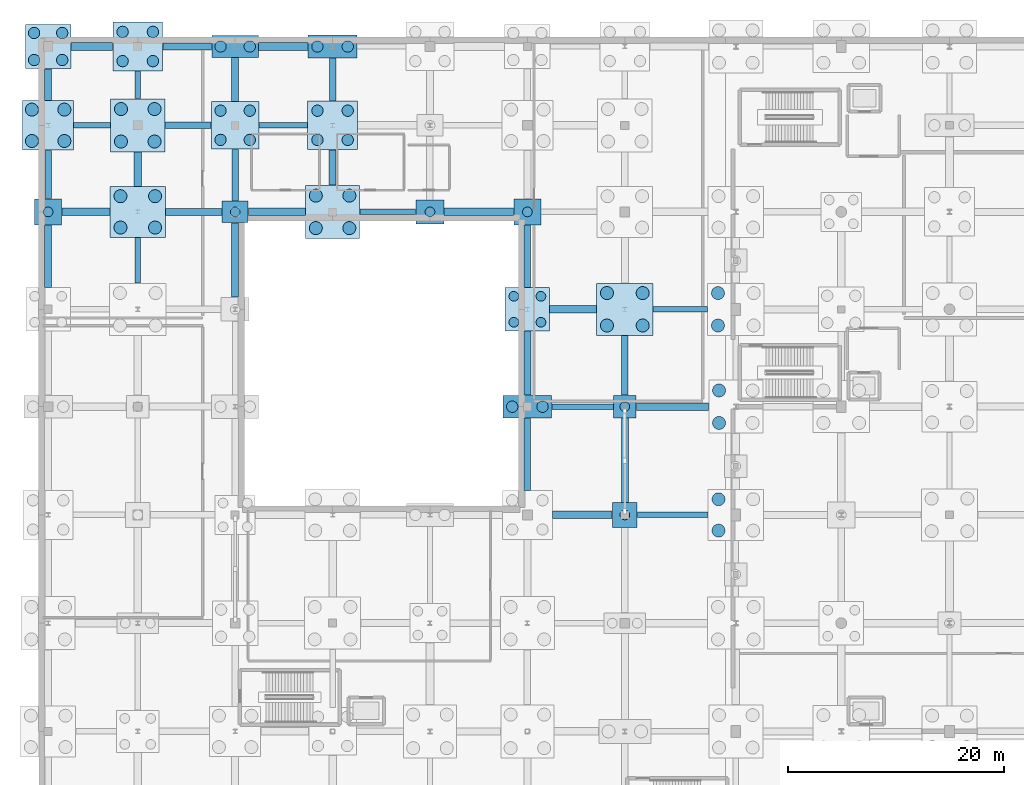
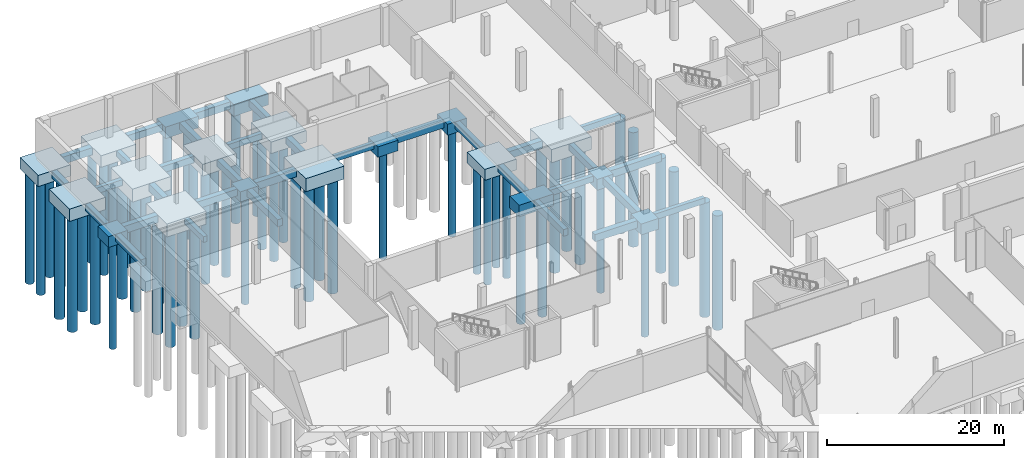
# One storey, part 7 of 60: 58 piles, 52 footings.
"""IFC4 building model written with IfcOpenShell, lengths in metres."""

from ifc_helpers import new_model, si_unit, direction, frame, origin, origin_2d, place, context, subcontext, project, spatial, rectangle, circle, extrude, material, material_profile, profile_set, type_object, element, save


model = new_model("IFC4")

# Units and contexts
model_context = context("Model", 3, precision=1e-05, world=origin(), true_north=direction((0.0, 1.0)))
body_context = subcontext(model_context, "Body", "Model", "MODEL_VIEW")
ifc_project = project(units=[si_unit("LENGTHUNIT", "METRE"), si_unit("AREAUNIT", "SQUARE_METRE"), si_unit("VOLUMEUNIT", "CUBIC_METRE"), si_unit("PLANEANGLEUNIT", "RADIAN"), si_unit("MASSUNIT", "GRAM", prefix="KILO")], contexts=[model_context])

# Site, building, storey
site_placement = place(None, origin())
site = spatial("IfcSite", under=ifc_project, at=site_placement, CompositionType="ELEMENT")
building_placement = place(site_placement, origin())
building = spatial("IfcBuilding", under=site, at=building_placement, Name="Trimount Lyric Opera House", CompositionType="ELEMENT")
storey_placement = place(building_placement, frame((0.0, 0.0, -5.39990234375)))
storey = spatial("IfcBuildingStorey", under=building, at=storey_placement, Name="B1", CompositionType="ELEMENT", Elevation=-5.39990234375)

# Footings
ifc_material_1 = material(Name="Concrete C40/50", Category="concrete")
footing_type_1 = type_object("IfcFootingType", Name="FB-01", PredefinedType="FOOTING_BEAM", material=ifc_material_1)
footing_1_placement = place(storey_placement, frame((4.2099609375, 102.0, -1.60009765625), z_axis=(0.0, 0.0, 1.0), x_axis=(1.0, 0.0, 0.0)))
element("IfcFooting", 1, at=footing_1_placement, inside=storey, type_object=footing_type_1, Name="Ground tie beam X-0020", PredefinedType="FOOTING_BEAM", context=body_context, shape_type="SweptSolid", body=[
    extrude(rectangle(XDim=4.449951171875, YDim=0.699951171875, at=origin_2d()), origin(), (0.0, 0.0, 1.0), 1.0),
])
footing_2_placement = place(storey_placement, frame((4.760009765625, 117.280029296875, -1.60009765625), z_axis=(0.0, 0.0, 1.0), x_axis=(1.0, 0.0, 0.0)))
element("IfcFooting", 2, at=footing_2_placement, inside=storey, type_object=footing_type_1, Name="Ground tie beam X-0024", PredefinedType="FOOTING_BEAM", context=body_context, shape_type="SweptSolid", body=[
    extrude(rectangle(XDim=3.85009765625, YDim=0.699951171875, at=origin_2d()), origin(), (0.0, 0.0, 1.0), 1.0),
])
footing_3_placement = place(storey_placement, frame((9.0, 105.949951171875, -1.60009765625), z_axis=(0.0, 0.0, 1.0), x_axis=(1.0, 0.0, 0.0)))
element("IfcFooting", 3, at=footing_3_placement, inside=storey, type_object=footing_type_1, Name="Ground tie beam Y-0044", PredefinedType="FOOTING_BEAM", context=body_context, shape_type="SweptSolid", body=[
    extrude(rectangle(XDim=0.699951171875, YDim=3.169921875, at=origin_2d()), origin(), (0.0, 0.0, 1.0), 1.0),
])
footing_4_placement = place(storey_placement, frame((21.85009765625, 102.0, -1.60009765625), z_axis=(0.0, 0.0, 1.0), x_axis=(1.0, 0.0, 0.0)))
element("IfcFooting", 4, at=footing_4_placement, inside=storey, type_object=footing_type_1, Name="Ground tie beam X-0060", PredefinedType="FOOTING_BEAM", context=body_context, shape_type="SweptSolid", body=[
    extrude(rectangle(XDim=5.27001953125, YDim=0.699951171875, at=origin_2d()), origin(), (0.0, 0.0, 1.0), 1.0),
])
footing_5_placement = place(storey_placement, frame((22.449951171875, 117.280029296875, -1.60009765625), z_axis=(0.0, 0.0, 1.0), x_axis=(1.0, 0.0, 0.0)))
element("IfcFooting", 5, at=footing_5_placement, inside=storey, type_object=footing_type_1, Name="Ground tie beam X-0064", PredefinedType="FOOTING_BEAM", context=body_context, shape_type="SweptSolid", body=[
    extrude(rectangle(XDim=4.570068359375, YDim=0.699951171875, at=origin_2d()), origin(), (0.0, 0.0, 1.0), 1.0),
])
footing_6_placement = place(storey_placement, frame((40.52490234375, 102.0, -1.60009765625), z_axis=(0.0, 0.0, 1.0), x_axis=(1.0, 0.0, 0.0)))
element("IfcFooting", 6, at=footing_6_placement, inside=storey, type_object=footing_type_1, Name="Ground tie beam X-0088", PredefinedType="FOOTING_BEAM", context=body_context, shape_type="SweptSolid", body=[
    extrude(rectangle(XDim=6.419921875, YDim=0.699951171875, at=origin_2d()), origin(), (0.0, 0.0, 1.0), 1.0),
])
footing_7_placement = place(storey_placement, frame((50.074951171875, 74.0, -1.60009765625), z_axis=(0.0, 0.0, 1.0), x_axis=(1.0, 0.0, 0.0)))
element("IfcFooting", 7, at=footing_7_placement, inside=storey, type_object=footing_type_1, Name="Ground tie beam X-0108", PredefinedType="FOOTING_BEAM", context=body_context, shape_type="SweptSolid", body=[
    extrude(rectangle(XDim=5.52001953125, YDim=0.699951171875, at=origin_2d()), origin(), (0.0, 0.0, 1.0), 1.0),
])
footing_8_placement = place(storey_placement, frame((49.22509765625, 93.0, -1.60009765625), z_axis=(0.0, 0.0, 1.0), x_axis=(1.0, 0.0, 0.0)))
element("IfcFooting", 8, at=footing_8_placement, inside=storey, type_object=footing_type_1, Name="Ground tie beam X-0112", PredefinedType="FOOTING_BEAM", context=body_context, shape_type="SweptSolid", body=[
    extrude(rectangle(XDim=4.320068359375, YDim=0.699951171875, at=origin_2d()), origin(), (0.0, 0.0, 1.0), 1.0),
])
footing_9_placement = place(storey_placement, frame((58.405029296875, 84.0, -1.60009765625), z_axis=(0.0, 0.0, 1.0), x_axis=(1.0, 0.0, 0.0)))
element("IfcFooting", 9, at=footing_9_placement, inside=storey, type_object=footing_type_1, Name="Ground tie beam X-0136", PredefinedType="FOOTING_BEAM", context=body_context, shape_type="SweptSolid", body=[
    extrude(rectangle(XDim=6.679931640625, YDim=0.699951171875, at=origin_2d()), origin(), (0.0, 0.0, 1.0), 1.0),
])
ifc_material_2 = material(Name="Concrete C40/50", Category="concrete")
footing_type_2 = type_object("IfcFootingType", Name="FB-02", PredefinedType="FOOTING_BEAM", material=ifc_material_2)
footing_10_placement = place(storey_placement, frame((0.719970703125, 105.449951171875, -1.5), z_axis=(0.0, 0.0, 1.0), x_axis=(1.0, 0.0, 0.0)))
element("IfcFooting", 10, at=footing_10_placement, inside=storey, type_object=footing_type_2, Name="Ground tie beam Y-0021", PredefinedType="FOOTING_BEAM", context=body_context, shape_type="SweptSolid", body=[
    extrude(rectangle(XDim=0.60009765625, YDim=4.469970703125, at=origin_2d()), origin(), (0.0, 0.0, 1.0), 0.89990234375),
])
footing_11_placement = place(storey_placement, frame((13.64990234375, 110.0, -1.5), z_axis=(0.0, 0.0, 1.0), x_axis=(1.0, 0.0, 0.0)))
element("IfcFooting", 11, at=footing_11_placement, inside=storey, type_object=footing_type_2, Name="Ground tie beam X-0045", PredefinedType="FOOTING_BEAM", context=body_context, shape_type="SweptSolid", body=[
    extrude(rectangle(XDim=4.27001953125, YDim=0.60009765625, at=origin_2d()), origin(), (0.0, 0.0, 1.0), 0.89990234375),
])
footing_12_placement = place(storey_placement, frame((18.0, 105.39990234375, -1.5), z_axis=(0.0, 0.0, 1.0), x_axis=(1.0, 0.0, 0.0)))
element("IfcFooting", 12, at=footing_12_placement, inside=storey, type_object=footing_type_2, Name="Ground tie beam Y-0061", PredefinedType="FOOTING_BEAM", context=body_context, shape_type="SweptSolid", body=[
    extrude(rectangle(XDim=0.60009765625, YDim=4.77001953125, at=origin_2d()), origin(), (0.0, 0.0, 1.0), 0.89990234375),
])
footing_13_placement = place(storey_placement, frame((27.0, 114.239990234375, -1.5), z_axis=(0.0, 0.0, 1.0), x_axis=(1.0, 0.0, 0.0)))
element("IfcFooting", 13, at=footing_13_placement, inside=storey, type_object=footing_type_2, Name="Ground tie beam Y-0077", PredefinedType="FOOTING_BEAM", context=body_context, shape_type="SweptSolid", body=[
    extrude(rectangle(XDim=0.60009765625, YDim=3.949951171875, at=origin_2d()), origin(), (0.0, 0.0, 1.0), 0.89990234375),
])
footing_14_placement = place(storey_placement, frame((45.0, 79.60009765625, -1.5), z_axis=(0.0, 0.0, 1.0), x_axis=(1.0, 0.0, 0.0)))
element("IfcFooting", 14, at=footing_14_placement, inside=storey, type_object=footing_type_2, Name="Ground tie beam Y-0109", PredefinedType="FOOTING_BEAM", context=body_context, shape_type="SweptSolid", body=[
    extrude(rectangle(XDim=0.60009765625, YDim=6.669921875, at=origin_2d()), origin(), (0.0, 0.0, 1.0), 0.89990234375),
])
footing_15_placement = place(storey_placement, frame((45.0, 97.89990234375, -1.5), z_axis=(0.0, 0.0, 1.0), x_axis=(1.0, 0.0, 0.0)))
element("IfcFooting", 15, at=footing_15_placement, inside=storey, type_object=footing_type_2, Name="Ground tie beam Y-0113", PredefinedType="FOOTING_BEAM", context=body_context, shape_type="SweptSolid", body=[
    extrude(rectangle(XDim=0.60009765625, YDim=5.77001953125, at=origin_2d()), origin(), (0.0, 0.0, 1.0), 0.89990234375),
])
footing_16_placement = place(storey_placement, frame((54.0, 87.824951171875, -1.5), z_axis=(0.0, 0.0, 1.0), x_axis=(1.0, 0.0, 0.0)))
element("IfcFooting", 16, at=footing_16_placement, inside=storey, type_object=footing_type_2, Name="Ground tie beam Y-0137", PredefinedType="FOOTING_BEAM", context=body_context, shape_type="SweptSolid", body=[
    extrude(rectangle(XDim=0.60009765625, YDim=5.52001953125, at=origin_2d()), origin(), (0.0, 0.0, 1.0), 0.89990234375),
])
ifc_material_3 = material(Name="Concrete C40/50", Category="concrete")
footing_type_3 = type_object("IfcFootingType", Name="FB-03", PredefinedType="FOOTING_BEAM", material=ifc_material_3)
footing_17_placement = place(storey_placement, frame((4.784912109375, 110.0, -1.39990234375), z_axis=(0.0, 0.0, 1.0), x_axis=(1.0, 0.0, 0.0)))
element("IfcFooting", 17, at=footing_17_placement, inside=storey, type_object=footing_type_3, Name="Ground tie beam X-0022", PredefinedType="FOOTING_BEAM", context=body_context, shape_type="SweptSolid", body=[
    extrude(rectangle(XDim=3.39990234375, YDim=0.5, at=origin_2d()), origin(), (0.0, 0.0, 1.0), 0.800048828125),
])
footing_18_placement = place(storey_placement, frame((9.0, 97.52490234375, -1.39990234375), z_axis=(0.0, 0.0, 1.0), x_axis=(1.0, 0.0, 0.0)))
element("IfcFooting", 18, at=footing_18_placement, inside=storey, type_object=footing_type_3, Name="Ground tie beam Y-0042", PredefinedType="FOOTING_BEAM", context=body_context, shape_type="SweptSolid", body=[
    extrude(rectangle(XDim=0.5, YDim=4.219970703125, at=origin_2d()), origin(), (0.0, 0.0, 1.0), 0.800048828125),
])
footing_19_placement = place(storey_placement, frame((9.0, 113.739990234375, -1.39990234375), z_axis=(0.0, 0.0, 1.0), x_axis=(1.0, 0.0, 0.0)))
element("IfcFooting", 19, at=footing_19_placement, inside=storey, type_object=footing_type_3, Name="Ground tie beam Y-0046", PredefinedType="FOOTING_BEAM", context=body_context, shape_type="SweptSolid", body=[
    extrude(rectangle(XDim=0.5, YDim=2.550048828125, at=origin_2d()), origin(), (0.0, 0.0, 1.0), 0.800048828125),
])
footing_20_placement = place(storey_placement, frame((22.449951171875, 110.0, -1.39990234375), z_axis=(0.0, 0.0, 1.0), x_axis=(1.0, 0.0, 0.0)))
element("IfcFooting", 20, at=footing_20_placement, inside=storey, type_object=footing_type_3, Name="Ground tie beam X-0062", PredefinedType="FOOTING_BEAM", context=body_context, shape_type="SweptSolid", body=[
    extrude(rectangle(XDim=4.469970703125, YDim=0.5, at=origin_2d()), origin(), (0.0, 0.0, 1.0), 0.800048828125),
])
footing_21_placement = place(storey_placement, frame((32.10009765625, 102.0, -1.39990234375), z_axis=(0.0, 0.0, 1.0), x_axis=(1.0, 0.0, 0.0)))
element("IfcFooting", 21, at=footing_21_placement, inside=storey, type_object=footing_type_3, Name="Ground tie beam X-0074", PredefinedType="FOOTING_BEAM", context=body_context, shape_type="SweptSolid", body=[
    extrude(rectangle(XDim=5.169921875, YDim=0.5, at=origin_2d()), origin(), (0.0, 0.0, 1.0), 0.800048828125),
])
footing_22_placement = place(storey_placement, frame((50.10009765625, 84.0, -1.39990234375), z_axis=(0.0, 0.0, 1.0), x_axis=(1.0, 0.0, 0.0)))
element("IfcFooting", 22, at=footing_22_placement, inside=storey, type_object=footing_type_3, Name="Ground tie beam X-0110", PredefinedType="FOOTING_BEAM", context=body_context, shape_type="SweptSolid", body=[
    extrude(rectangle(XDim=5.669921875, YDim=0.5, at=origin_2d()), origin(), (0.0, 0.0, 1.0), 0.800048828125),
])
footing_23_placement = place(storey_placement, frame((58.429931640625, 74.0, -1.39990234375), z_axis=(0.0, 0.0, 1.0), x_axis=(1.0, 0.0, 0.0)))
element("IfcFooting", 23, at=footing_23_placement, inside=storey, type_object=footing_type_3, Name="Ground tie beam X-0134", PredefinedType="FOOTING_BEAM", context=body_context, shape_type="SweptSolid", body=[
    extrude(rectangle(XDim=6.530029296875, YDim=0.5, at=origin_2d()), origin(), (0.0, 0.0, 1.0), 0.800048828125),
])
footing_24_placement = place(storey_placement, frame((59.1298828125, 93.0, -1.39990234375), z_axis=(0.0, 0.0, 1.0), x_axis=(1.0, 0.0, 0.0)))
element("IfcFooting", 24, at=footing_24_placement, inside=storey, type_object=footing_type_3, Name="Ground tie beam X-0138", PredefinedType="FOOTING_BEAM", context=body_context, shape_type="SweptSolid", body=[
    extrude(rectangle(XDim=5.030029296875, YDim=0.5, at=origin_2d()), origin(), (0.0, 0.0, 1.0), 0.800048828125),
])
ifc_material_4 = material(Name="Concrete C40/50", Category="concrete")
footing_type_4 = type_object("IfcFootingType", Name="FB-04", PredefinedType="FOOTING_BEAM", material=ifc_material_4)
footing_25_placement = place(storey_placement, frame((0.719970703125, 97.89990234375, -1.55029296875), z_axis=(0.0, 0.0, 1.0), x_axis=(1.0, 0.0, 0.0)))
element("IfcFooting", 25, at=footing_25_placement, inside=storey, type_object=footing_type_4, Name="Ground tie beam Y-0019", PredefinedType="FOOTING_BEAM", context=body_context, shape_type="SweptSolid", body=[
    extrude(rectangle(XDim=0.64990234375, YDim=5.77001953125, at=origin_2d()), origin(), (0.0, 0.0, 1.0), 0.949951171875),
])
footing_26_placement = place(storey_placement, frame((0.719970703125, 113.764892578125, -1.55029296875), z_axis=(0.0, 0.0, 1.0), x_axis=(1.0, 0.0, 0.0)))
element("IfcFooting", 26, at=footing_26_placement, inside=storey, type_object=footing_type_4, Name="Ground tie beam Y-0023", PredefinedType="FOOTING_BEAM", context=body_context, shape_type="SweptSolid", body=[
    extrude(rectangle(XDim=0.64990234375, YDim=2.89990234375, at=origin_2d()), origin(), (0.0, 0.0, 1.0), 0.949951171875),
])
footing_27_placement = place(storey_placement, frame((14.175048828125, 102.0, -1.55029296875), z_axis=(0.0, 0.0, 1.0), x_axis=(1.0, 0.0, 0.0)))
element("IfcFooting", 27, at=footing_27_placement, inside=storey, type_object=footing_type_4, Name="Ground tie beam X-0043", PredefinedType="FOOTING_BEAM", context=body_context, shape_type="SweptSolid", body=[
    extrude(rectangle(XDim=5.219970703125, YDim=0.64990234375, at=origin_2d()), origin(), (0.0, 0.0, 1.0), 0.949951171875),
])
footing_28_placement = place(storey_placement, frame((13.574951171875, 117.280029296875, -1.55029296875), z_axis=(0.0, 0.0, 1.0), x_axis=(1.0, 0.0, 0.0)))
element("IfcFooting", 28, at=footing_28_placement, inside=storey, type_object=footing_type_4, Name="Ground tie beam X-0047", PredefinedType="FOOTING_BEAM", context=body_context, shape_type="SweptSolid", body=[
    extrude(rectangle(XDim=4.52001953125, YDim=0.64990234375, at=origin_2d()), origin(), (0.0, 0.0, 1.0), 0.949951171875),
])
footing_29_placement = place(storey_placement, frame((18.0, 97.550048828125, -1.55029296875), z_axis=(0.0, 0.0, 1.0), x_axis=(1.0, 0.0, 0.0)))
element("IfcFooting", 29, at=footing_29_placement, inside=storey, type_object=footing_type_4, Name="Ground tie beam Y-0059", PredefinedType="FOOTING_BEAM", context=body_context, shape_type="SweptSolid", body=[
    extrude(rectangle(XDim=0.64990234375, YDim=6.8701171875, at=origin_2d()), origin(), (0.0, 0.0, 1.0), 0.949951171875),
])
footing_30_placement = place(storey_placement, frame((18.0, 114.239990234375, -1.55029296875), z_axis=(0.0, 0.0, 1.0), x_axis=(1.0, 0.0, 0.0)))
element("IfcFooting", 30, at=footing_30_placement, inside=storey, type_object=footing_type_4, Name="Ground tie beam Y-0063", PredefinedType="FOOTING_BEAM", context=body_context, shape_type="SweptSolid", body=[
    extrude(rectangle(XDim=0.64990234375, YDim=4.050048828125, at=origin_2d()), origin(), (0.0, 0.0, 1.0), 0.949951171875),
])
footing_31_placement = place(storey_placement, frame((27.0, 106.10009765625, -1.55029296875), z_axis=(0.0, 0.0, 1.0), x_axis=(1.0, 0.0, 0.0)))
element("IfcFooting", 31, at=footing_31_placement, inside=storey, type_object=footing_type_4, Name="Ground tie beam Y-0075", PredefinedType="FOOTING_BEAM", context=body_context, shape_type="SweptSolid", body=[
    extrude(rectangle(XDim=0.64990234375, YDim=3.27001953125, at=origin_2d()), origin(), (0.0, 0.0, 1.0), 0.949951171875),
])
footing_32_placement = place(storey_placement, frame((45.0, 88.02490234375, -1.55029296875), z_axis=(0.0, 0.0, 1.0), x_axis=(1.0, 0.0, 0.0)))
element("IfcFooting", 32, at=footing_32_placement, inside=storey, type_object=footing_type_4, Name="Ground tie beam Y-0111", PredefinedType="FOOTING_BEAM", context=body_context, shape_type="SweptSolid", body=[
    extrude(rectangle(XDim=0.64990234375, YDim=5.919921875, at=origin_2d()), origin(), (0.0, 0.0, 1.0), 0.949951171875),
])
footing_33_placement = place(storey_placement, frame((54.0, 79.050048828125, -1.55029296875), z_axis=(0.0, 0.0, 1.0), x_axis=(1.0, 0.0, 0.0)))
element("IfcFooting", 33, at=footing_33_placement, inside=storey, type_object=footing_type_4, Name="Ground tie beam Y-0135", PredefinedType="FOOTING_BEAM", context=body_context, shape_type="SweptSolid", body=[
    extrude(rectangle(XDim=0.64990234375, YDim=7.77001953125, at=origin_2d()), origin(), (0.0, 0.0, 1.0), 0.949951171875),
])
ifc_material_5 = material(Name="Concrete C40/50", Category="concrete")
footing_type_5 = type_object("IfcFootingType", Name="PC-04", PredefinedType="PILE_CAP", material=ifc_material_5)
footing_34_placement = place(storey_placement, frame((18.0, 110.0, -2.2001953125), z_axis=(0.0, 0.0, 1.0), x_axis=(1.0, 0.0, 0.0)))
element("IfcFooting", 34, at=footing_34_placement, inside=storey, type_object=footing_type_5, Name="Pile cap 3/N", PredefinedType="PILE_CAP", context=body_context, shape_type="SweptSolid", body=[
    extrude(rectangle(XDim=4.39990234375, YDim=4.39990234375, at=origin_2d()), origin(), (0.0, 0.0, 1.0), 1.60009765625),
])
ifc_material_6 = material(Name="Concrete C40/50", Category="concrete")
footing_type_6 = type_object("IfcFootingType", Name="PC-05", PredefinedType="PILE_CAP", material=ifc_material_6)
footing_35_placement = place(storey_placement, frame((18.0, 117.280029296875, -2.2001953125), z_axis=(0.0, 0.0, 1.0), x_axis=(1.0, 0.0, 0.0)))
element("IfcFooting", 35, at=footing_35_placement, inside=storey, type_object=footing_type_6, Name="Pile cap 3/P", PredefinedType="PILE_CAP", context=body_context, shape_type="SweptSolid", body=[
    extrude(rectangle(XDim=4.300048828125, YDim=2.0, at=origin_2d()), origin(), (0.0, 0.0, 1.0), 1.60009765625),
])
ifc_material_7 = material(Name="Concrete C40/50", Category="concrete")
footing_type_7 = type_object("IfcFootingType", Name="PC-08", PredefinedType="PILE_CAP", material=ifc_material_7)
footing_36_placement = place(storey_placement, frame((54.0, 74.0, -2.10009765625), z_axis=(0.0, 0.0, 1.0), x_axis=(1.0, 0.0, 0.0)))
element("IfcFooting", 36, at=footing_36_placement, inside=storey, type_object=footing_type_7, Name="Pile cap 7/J", PredefinedType="PILE_CAP", context=body_context, shape_type="SweptSolid", body=[
    extrude(rectangle(XDim=2.300048828125, YDim=2.300048828125, at=origin_2d()), origin(), (0.0, 0.0, 1.0), 1.5),
])
ifc_material_8 = material(Name="Concrete C40/50", Category="concrete")
footing_type_8 = type_object("IfcFootingType", Name="PC-09", PredefinedType="PILE_CAP", material=ifc_material_8)
footing_37_placement = place(storey_placement, frame((54.0, 84.0, -2.10009765625), z_axis=(0.0, 0.0, 1.0), x_axis=(1.0, 0.0, 0.0)))
element("IfcFooting", 37, at=footing_37_placement, inside=storey, type_object=footing_type_8, Name="Pile cap 7/K", PredefinedType="PILE_CAP", context=body_context, shape_type="SweptSolid", body=[
    extrude(rectangle(XDim=2.10009765625, YDim=2.10009765625, at=origin_2d()), origin(), (0.0, 0.0, 1.0), 1.5),
])
ifc_material_9 = material(Name="Concrete C40/50", Category="concrete")
footing_type_9 = type_object("IfcFootingType", Name="PC-10", PredefinedType="PILE_CAP", material=ifc_material_9)
footing_38_placement = place(storey_placement, frame((54.0, 93.0, -2.39990234375), z_axis=(0.0, 0.0, 1.0), x_axis=(1.0, 0.0, 0.0)))
element("IfcFooting", 38, at=footing_38_placement, inside=storey, type_object=footing_type_9, Name="Pile cap 7/L", PredefinedType="PILE_CAP", context=body_context, shape_type="SweptSolid", body=[
    extrude(rectangle(XDim=5.199951171875, YDim=4.800048828125, at=origin_2d()), origin(), (0.0, 0.0, 1.0), 1.800048828125),
])
ifc_material_10 = material(Name="Concrete C40/50", Category="concrete")
footing_type_10 = type_object("IfcFootingType", Name="PC-11", PredefinedType="PILE_CAP", material=ifc_material_10)
footing_39_placement = place(storey_placement, frame((9.0, 102.0, -2.39990234375), z_axis=(0.0, 0.0, 1.0), x_axis=(1.0, 0.0, 0.0)))
element("IfcFooting", 39, at=footing_39_placement, inside=storey, type_object=footing_type_10, Name="Pile cap 2/M", PredefinedType="PILE_CAP", context=body_context, shape_type="SweptSolid", body=[
    extrude(rectangle(XDim=5.10009765625, YDim=4.699951171875, at=origin_2d()), origin(), (0.0, 0.0, 1.0), 1.800048828125),
])
ifc_material_11 = material(Name="Concrete C40/50", Category="concrete")
footing_type_11 = type_object("IfcFootingType", Name="PC-12", PredefinedType="PILE_CAP", material=ifc_material_11)
for number, where, z_axis, x_axis, name in (
    (40, (9.0, 110.0, -2.39990234375), (0.0, 0.0, 1.0), (1.0, 0.0, 0.0), "Pile cap 2/N"),
    (41, (27.0, 102.0, -2.39990234375), (0.0, 0.0, 1.0), (1.0, 0.0, 0.0), "Pile cap 4/M"),
):
    element("IfcFooting", number, at=place(storey_placement, frame(where, z_axis=z_axis, x_axis=x_axis)), inside=storey, type_object=footing_type_11, Name=name, PredefinedType="PILE_CAP", context=body_context, shape_type="SweptSolid", body=[
        extrude(rectangle(XDim=5.0, YDim=4.89990234375, at=origin_2d()), origin(), (0.0, 0.0, 1.0), 1.800048828125),
    ])
ifc_material_12 = material(Name="Concrete C40/50", Category="concrete")
footing_type_12 = type_object("IfcFootingType", Name="PC-13", PredefinedType="PILE_CAP", material=ifc_material_12)
for number, where, z_axis, x_axis, name in (
    (42, (9.0, 117.280029296875, -2.2001953125), (0.0, 0.0, 1.0), (1.0, 0.0, 0.0), "Pile cap 2/P"),
    (43, (27.0, 110.0, -2.2001953125), (0.0, 0.0, 1.0), (1.0, 0.0, 0.0), "Pile cap 4/N"),
):
    element("IfcFooting", number, at=place(storey_placement, frame(where, z_axis=z_axis, x_axis=x_axis)), inside=storey, type_object=footing_type_12, Name=name, PredefinedType="PILE_CAP", context=body_context, shape_type="SweptSolid", body=[
        extrude(rectangle(XDim=4.60009765625, YDim=4.5, at=origin_2d()), origin(), (0.0, 0.0, 1.0), 1.60009765625),
    ])
ifc_material_13 = material(Name="Concrete C40/50", Category="concrete")
footing_type_13 = type_object("IfcFootingType", Name="PC-14", PredefinedType="PILE_CAP", material=ifc_material_13)
for number, where, z_axis, x_axis, name in (
    (44, (27.0, 117.280029296875, -2.2001953125), (0.0, 0.0, 1.0), (1.0, 0.0, 0.0), "Pile cap 4/P"),
    (45, (45.0, 84.0, -2.2001953125), (0.0, 0.0, 1.0), (1.0, 0.0, 0.0), "Pile cap 6/K"),
):
    element("IfcFooting", number, at=place(storey_placement, frame(where, z_axis=z_axis, x_axis=x_axis)), inside=storey, type_object=footing_type_13, Name=name, PredefinedType="PILE_CAP", context=body_context, shape_type="SweptSolid", body=[
        extrude(rectangle(XDim=4.5, YDim=2.10009765625, at=origin_2d()), origin(), (0.0, 0.0, 1.0), 1.60009765625),
    ])
ifc_material_14 = material(Name="Concrete C40/50", Category="concrete")
footing_type_14 = type_object("IfcFootingType", Name="PC-15", PredefinedType="PILE_CAP", material=ifc_material_14)
footing_40_placement = place(storey_placement, frame((45.0, 93.0, -2.10009765625), z_axis=(0.0, 0.0, 1.0), x_axis=(1.0, 0.0, 0.0)))
element("IfcFooting", 46, at=footing_40_placement, inside=storey, type_object=footing_type_14, Name="Pile cap 6/L", PredefinedType="PILE_CAP", context=body_context, shape_type="SweptSolid", body=[
    extrude(rectangle(XDim=4.10009765625, YDim=4.0, at=origin_2d()), origin(), (0.0, 0.0, 1.0), 1.5),
])
ifc_material_15 = material(Name="Concrete C40/50", Category="concrete")
footing_type_15 = type_object("IfcFootingType", Name="PC-16", PredefinedType="PILE_CAP", material=ifc_material_15)
for number, where, z_axis, x_axis, name in (
    (47, (0.719970703125, 102.0, -2.10009765625), (0.0, 0.0, 1.0), (1.0, 0.0, 0.0), "Pile cap 1/M"),
    (48, (45.0, 102.0, -2.10009765625), (0.0, 0.0, 1.0), (1.0, 0.0, 0.0), "Pile cap 6/M"),
):
    element("IfcFooting", number, at=place(storey_placement, frame(where, z_axis=z_axis, x_axis=x_axis)), inside=storey, type_object=footing_type_15, Name=name, PredefinedType="PILE_CAP", context=body_context, shape_type="SweptSolid", body=[
        extrude(rectangle(XDim=2.5, YDim=2.39990234375, at=origin_2d()), origin(), (0.0, 0.0, 1.0), 1.5),
    ])
ifc_material_16 = material(Name="Concrete C40/50", Category="concrete")
footing_type_16 = type_object("IfcFootingType", Name="PC-17", PredefinedType="PILE_CAP", material=ifc_material_16)
footing_41_placement = place(storey_placement, frame((0.719970703125, 110.0, -2.30029296875), z_axis=(0.0, 0.0, 1.0), x_axis=(1.0, 0.0, 0.0)))
element("IfcFooting", 49, at=footing_41_placement, inside=storey, type_object=footing_type_16, Name="Pile cap 1/N", PredefinedType="PILE_CAP", context=body_context, shape_type="SweptSolid", body=[
    extrude(rectangle(XDim=4.699951171875, YDim=4.60009765625, at=origin_2d()), origin(), (0.0, 0.0, 1.0), 1.699951171875),
])
ifc_material_17 = material(Name="Concrete C40/50", Category="concrete")
footing_type_17 = type_object("IfcFootingType", Name="PC-18", PredefinedType="PILE_CAP", material=ifc_material_17)
footing_42_placement = place(storey_placement, frame((0.719970703125, 117.280029296875, -2.14990234375), z_axis=(0.0, 0.0, 1.0), x_axis=(1.0, 0.0, 0.0)))
element("IfcFooting", 50, at=footing_42_placement, inside=storey, type_object=footing_type_17, Name="Pile cap 1/P", PredefinedType="PILE_CAP", context=body_context, shape_type="SweptSolid", body=[
    extrude(rectangle(XDim=4.199951171875, YDim=4.10009765625, at=origin_2d()), origin(), (0.0, 0.0, 1.0), 1.550048828125),
])
ifc_material_18 = material(Name="Concrete C40/50", Category="concrete")
footing_type_18 = type_object("IfcFootingType", Name="PC-21", PredefinedType="PILE_CAP", material=ifc_material_18)
footing_43_placement = place(storey_placement, frame((36.0, 102.0, -2.05029296875), z_axis=(0.0, 0.0, 1.0), x_axis=(1.0, 0.0, 0.0)))
element("IfcFooting", 51, at=footing_43_placement, inside=storey, type_object=footing_type_18, Name="Pile cap 5/M", PredefinedType="PILE_CAP", context=body_context, shape_type="SweptSolid", body=[
    extrude(rectangle(XDim=2.60009765625, YDim=2.199951171875, at=origin_2d()), origin(), (0.0, 0.0, 1.0), 1.449951171875),
])
ifc_material_19 = material(Name="Concrete C40/50", Category="concrete")
footing_type_19 = type_object("IfcFootingType", Name="PC-22", PredefinedType="PILE_CAP", material=ifc_material_19)
footing_44_placement = place(storey_placement, frame((18.0, 102.0, -2.0), z_axis=(0.0, 0.0, 1.0), x_axis=(1.0, 0.0, 0.0)))
element("IfcFooting", 52, at=footing_44_placement, inside=storey, type_object=footing_type_19, Name="Pile cap 3/M", PredefinedType="PILE_CAP", context=body_context, shape_type="SweptSolid", body=[
    extrude(rectangle(XDim=2.39990234375, YDim=2.0, at=origin_2d()), origin(), (0.0, 0.0, 1.0), 1.39990234375),
])

# Piles
ifc_material_20 = material(Name="Concrete C40/50", Category="concrete")
ifc_material_profile_1 = material_profile(ifc_material_20, circle(Radius=0.52490234375, at=origin_2d()), Name="PILE-D1050")
ifc_profile_set_1 = profile_set([ifc_material_profile_1], Name="Concrete C40/50")
pile_type_1 = type_object("IfcPileType", Name="PL-1050", PredefinedType="BORED", material=ifc_profile_set_1)
for number, where, z_axis, x_axis, name in (
    (53, (-0.580078125, 116.030029296875, -2.050048828125), (0.0, 0.0, -1.0), (1.0, 0.0, 0.0), "Bored pile 0038"),
    (54, (2.02001953125, 116.030029296875, -2.050048828125), (0.0, 0.0, -1.0), (1.0, 0.0, 0.0), "Bored pile 0039"),
    (55, (-0.580078125, 118.530029296875, -2.050048828125), (0.0, 0.0, -1.0), (1.0, 0.0, 0.0), "Bored pile 0040"),
    (56, (2.02001953125, 118.530029296875, -2.050048828125), (0.0, 0.0, -1.0), (1.0, 0.0, 0.0), "Bored pile 0041"),
    (57, (7.60009765625, 115.929931640625, -2.10009765625), (0.0, 0.0, -1.0), (1.0, 0.0, 0.0), "Bored pile 0076"),
    (58, (10.39990234375, 115.929931640625, -2.10009765625), (0.0, 0.0, -1.0), (1.0, 0.0, 0.0), "Bored pile 0077"),
    (59, (7.60009765625, 118.6298828125, -2.10009765625), (0.0, 0.0, -1.0), (1.0, 0.0, 0.0), "Bored pile 0078"),
    (60, (10.39990234375, 118.6298828125, -2.10009765625), (0.0, 0.0, -1.0), (1.0, 0.0, 0.0), "Bored pile 0079"),
    (61, (16.64990234375, 108.64990234375, -2.10009765625), (0.0, 0.0, -1.0), (1.0, 0.0, 0.0), "Bored pile 0103"),
    (62, (19.35009765625, 108.64990234375, -2.10009765625), (0.0, 0.0, -1.0), (1.0, 0.0, 0.0), "Bored pile 0104"),
    (63, (16.64990234375, 111.35009765625, -2.10009765625), (0.0, 0.0, -1.0), (1.0, 0.0, 0.0), "Bored pile 0105"),
    (64, (19.35009765625, 111.35009765625, -2.10009765625), (0.0, 0.0, -1.0), (1.0, 0.0, 0.0), "Bored pile 0106"),
    (65, (16.64990234375, 117.280029296875, -2.10009765625), (0.0, 0.0, -1.0), (1.0, 0.0, 0.0), "Bored pile 0107"),
    (66, (19.35009765625, 117.280029296875, -2.10009765625), (0.0, 0.0, -1.0), (1.0, 0.0, 0.0), "Bored pile 0108"),
    (67, (25.60009765625, 108.64990234375, -2.10009765625), (0.0, 0.0, -1.0), (1.0, 0.0, 0.0), "Bored pile 0133"),
    (68, (28.39990234375, 108.64990234375, -2.10009765625), (0.0, 0.0, -1.0), (1.0, 0.0, 0.0), "Bored pile 0134"),
    (69, (25.60009765625, 111.35009765625, -2.10009765625), (0.0, 0.0, -1.0), (1.0, 0.0, 0.0), "Bored pile 0135"),
    (70, (28.39990234375, 111.35009765625, -2.10009765625), (0.0, 0.0, -1.0), (1.0, 0.0, 0.0), "Bored pile 0136"),
    (71, (25.60009765625, 117.280029296875, -2.10009765625), (0.0, 0.0, -1.0), (1.0, 0.0, 0.0), "Bored pile 0137"),
    (72, (28.39990234375, 117.280029296875, -2.10009765625), (0.0, 0.0, -1.0), (1.0, 0.0, 0.0), "Bored pile 0138"),
    (73, (43.60009765625, 84.0, -2.10009765625), (0.0, 0.0, -1.0), (1.0, 0.0, 0.0), "Bored pile 0194"),
    (74, (46.39990234375, 84.0, -2.10009765625), (0.0, 0.0, -1.0), (1.0, 0.0, 0.0), "Bored pile 0195"),
):
    element("IfcPile", number, at=place(storey_placement, frame(where, z_axis=z_axis, x_axis=x_axis)), inside=storey, type_object=pile_type_1, Name=name, PredefinedType="BORED", context=body_context, shape_type="SweptSolid", body=[
        extrude(circle(Radius=0.52490234375, at=origin_2d()), origin(), (0.0, 0.0, 1.0), 15.5),
    ])
ifc_material_21 = material(Name="Concrete C40/50", Category="concrete")
ifc_material_profile_2 = material_profile(ifc_material_21, circle(Radius=0.60009765625, at=origin_2d()), Name="PILE-D1200")
ifc_profile_set_2 = profile_set([ifc_material_profile_2], Name="Concrete C40/50")
pile_type_2 = type_object("IfcPileType", Name="PL-1200", PredefinedType="BORED", material=ifc_profile_set_2)
for number, where, z_axis, x_axis, name in (
    (75, (-0.780029296875, 108.550048828125, -2.2001953125), (0.0, 0.0, -1.0), (1.0, 0.0, 0.0), "Bored pile 0034"),
    (76, (2.219970703125, 108.550048828125, -2.2001953125), (0.0, 0.0, -1.0), (1.0, 0.0, 0.0), "Bored pile 0035"),
    (77, (-0.780029296875, 111.449951171875, -2.2001953125), (0.0, 0.0, -1.0), (1.0, 0.0, 0.0), "Bored pile 0036"),
    (78, (2.219970703125, 111.449951171875, -2.2001953125), (0.0, 0.0, -1.0), (1.0, 0.0, 0.0), "Bored pile 0037"),
    (79, (7.39990234375, 100.550048828125, -2.300048828125), (0.0, 0.0, -1.0), (1.0, 0.0, 0.0), "Bored pile 0068"),
    (80, (10.60009765625, 100.550048828125, -2.300048828125), (0.0, 0.0, -1.0), (1.0, 0.0, 0.0), "Bored pile 0069"),
    (81, (7.39990234375, 103.449951171875, -2.300048828125), (0.0, 0.0, -1.0), (1.0, 0.0, 0.0), "Bored pile 0070"),
    (82, (10.60009765625, 103.449951171875, -2.300048828125), (0.0, 0.0, -1.0), (1.0, 0.0, 0.0), "Bored pile 0071"),
    (83, (7.449951171875, 108.5, -2.300048828125), (0.0, 0.0, -1.0), (1.0, 0.0, 0.0), "Bored pile 0072"),
    (84, (10.550048828125, 108.5, -2.300048828125), (0.0, 0.0, -1.0), (1.0, 0.0, 0.0), "Bored pile 0073"),
    (85, (7.449951171875, 111.5, -2.300048828125), (0.0, 0.0, -1.0), (1.0, 0.0, 0.0), "Bored pile 0074"),
    (86, (10.550048828125, 111.5, -2.300048828125), (0.0, 0.0, -1.0), (1.0, 0.0, 0.0), "Bored pile 0075"),
    (87, (25.449951171875, 100.5, -2.300048828125), (0.0, 0.0, -1.0), (1.0, 0.0, 0.0), "Bored pile 0129"),
    (88, (28.550048828125, 100.5, -2.300048828125), (0.0, 0.0, -1.0), (1.0, 0.0, 0.0), "Bored pile 0130"),
    (89, (25.449951171875, 103.5, -2.300048828125), (0.0, 0.0, -1.0), (1.0, 0.0, 0.0), "Bored pile 0131"),
    (90, (28.550048828125, 103.5, -2.300048828125), (0.0, 0.0, -1.0), (1.0, 0.0, 0.0), "Bored pile 0132"),
    (91, (52.35009765625, 91.5, -2.300048828125), (0.0, 0.0, -1.0), (1.0, 0.0, 0.0), "Bored pile 0234"),
    (92, (55.64990234375, 91.5, -2.300048828125), (0.0, 0.0, -1.0), (1.0, 0.0, 0.0), "Bored pile 0235"),
    (93, (52.35009765625, 94.5, -2.300048828125), (0.0, 0.0, -1.0), (1.0, 0.0, 0.0), "Bored pile 0236"),
    (94, (55.64990234375, 94.5, -2.300048828125), (0.0, 0.0, -1.0), (1.0, 0.0, 0.0), "Bored pile 0237"),
    (95, (62.659912109375, 72.550048828125, -2.300048828125), (0.0, 0.0, -1.0), (1.0, 0.0, 0.0), "Bored pile 0275"),
    (96, (62.659912109375, 75.449951171875, -2.300048828125), (0.0, 0.0, -1.0), (1.0, 0.0, 0.0), "Bored pile 0277"),
    (97, (62.7099609375, 82.5, -2.300048828125), (0.0, 0.0, -1.0), (1.0, 0.0, 0.0), "Bored pile 0279"),
    (98, (62.7099609375, 85.5, -2.300048828125), (0.0, 0.0, -1.0), (1.0, 0.0, 0.0), "Bored pile 0281"),
    (99, (62.610107421875, 91.5, -2.300048828125), (0.0, 0.0, -1.0), (1.0, 0.0, 0.0), "Bored pile 0283"),
    (100, (62.610107421875, 94.5, -2.300048828125), (0.0, 0.0, -1.0), (1.0, 0.0, 0.0), "Bored pile 0285"),
):
    element("IfcPile", number, at=place(storey_placement, frame(where, z_axis=z_axis, x_axis=x_axis)), inside=storey, type_object=pile_type_2, Name=name, PredefinedType="BORED", context=body_context, shape_type="SweptSolid", body=[
        extrude(circle(Radius=0.60009765625, at=origin_2d()), origin(), (0.0, 0.0, 1.0), 15.800048828125),
    ])
ifc_material_22 = material(Name="Concrete C40/50", Category="concrete")
ifc_material_profile_3 = material_profile(ifc_material_22, circle(Radius=0.449951171875, at=origin_2d()), Name="PILE-D900")
ifc_profile_set_3 = profile_set([ifc_material_profile_3], Name="Concrete C40/50")
pile_type_3 = type_object("IfcPileType", Name="PL-900", PredefinedType="BORED", material=ifc_profile_set_3)
for number, where, z_axis, x_axis, name in (
    (101, (0.719970703125, 102.0, -2.0), (0.0, 0.0, -1.0), (1.0, 0.0, 0.0), "Bored pile 0033"),
    (102, (18.0, 102.0, -1.900146484375), (0.0, 0.0, -1.0), (1.0, 0.0, 0.0), "Bored pile 0102"),
    (103, (36.0, 102.0, -1.9501953125), (0.0, 0.0, -1.0), (1.0, 0.0, 0.0), "Bored pile 0158"),
    (104, (43.75, 91.800048828125, -2.0), (0.0, 0.0, -1.0), (1.0, 0.0, 0.0), "Bored pile 0196"),
    (105, (46.25, 91.800048828125, -2.0), (0.0, 0.0, -1.0), (1.0, 0.0, 0.0), "Bored pile 0197"),
    (106, (43.75, 94.199951171875, -2.0), (0.0, 0.0, -1.0), (1.0, 0.0, 0.0), "Bored pile 0198"),
    (107, (46.25, 94.199951171875, -2.0), (0.0, 0.0, -1.0), (1.0, 0.0, 0.0), "Bored pile 0199"),
    (108, (45.0, 102.0, -2.0), (0.0, 0.0, -1.0), (1.0, 0.0, 0.0), "Bored pile 0200"),
    (109, (54.0, 74.0, -2.0), (0.0, 0.0, -1.0), (1.0, 0.0, 0.0), "Bored pile 0232"),
    (110, (54.0, 84.0, -2.0), (0.0, 0.0, -1.0), (1.0, 0.0, 0.0), "Bored pile 0233"),
):
    element("IfcPile", number, at=place(storey_placement, frame(where, z_axis=z_axis, x_axis=x_axis)), inside=storey, type_object=pile_type_3, Name=name, PredefinedType="BORED", context=body_context, shape_type="SweptSolid", body=[
        extrude(circle(Radius=0.449951171875, at=origin_2d()), origin(), (0.0, 0.0, 1.0), 15.0),
    ])

save(model, "model.ifc")
